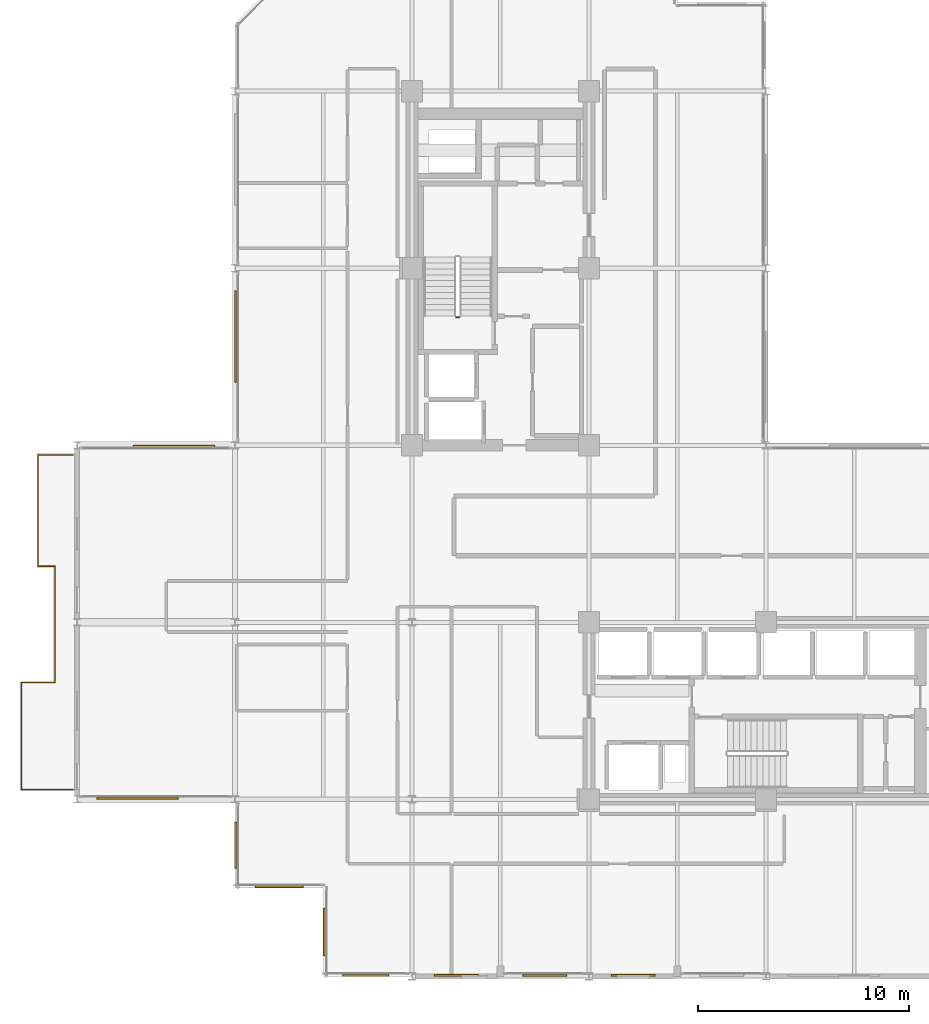
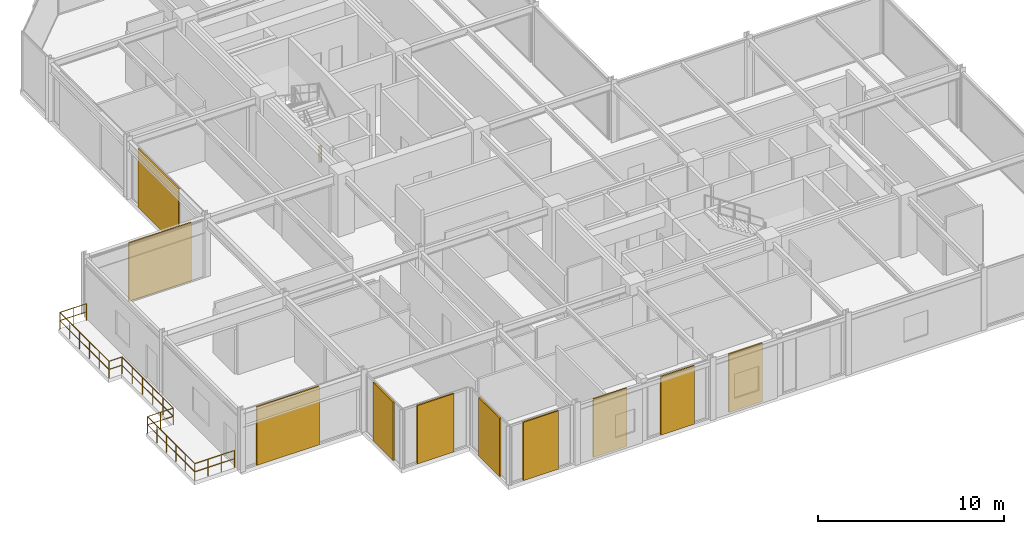
# One storey, part 27 of 29: 10 coverings, 8 railings.
"""IFC4 building model written with IfcOpenShell, lengths in metres."""

from ifc_helpers import new_model, si_unit, direction, frame, origin, origin_2d, place, context, subcontext, project, spatial, rectangle, circle, extrude, material, layer, layer_set, type_object, element, save


model = new_model("IFC4")

# Units and contexts
model_context = context("Model", 3, precision=1e-05, world=origin(), true_north=direction((0.0, 1.0)))
body_context = subcontext(model_context, "Body", "Model", "MODEL_VIEW")
ifc_project = project(units=[si_unit("LENGTHUNIT", "METRE"), si_unit("AREAUNIT", "SQUARE_METRE"), si_unit("VOLUMEUNIT", "CUBIC_METRE"), si_unit("PLANEANGLEUNIT", "RADIAN"), si_unit("MASSUNIT", "GRAM", prefix="KILO")], contexts=[model_context])

# Site, building, storey
site_placement = place(None, origin())
site = spatial("IfcSite", under=ifc_project, at=site_placement, CompositionType="ELEMENT")
building_placement = place(site_placement, origin())
building = spatial("IfcBuilding", under=site, at=building_placement, Name="Nerrivon Quay Data Exchange", CompositionType="ELEMENT")
storey_placement = place(building_placement, frame((0.0, 0.0, 175.5)))
storey = spatial("IfcBuildingStorey", under=building, at=storey_placement, Name="L41", CompositionType="ELEMENT", Elevation=175.5)

# Coverings
ifc_material_1 = material(Name="Architectural terracotta ceramic", Category="masonry")
ifc_layer = layer(ifc_material_1, 0.090087890625)
ifc_layer_set = layer_set([ifc_layer], Name="Architectural terracotta ceramic")
covering_type = type_object("IfcCoveringType", Name="COV-SCR-TERR", PredefinedType="CLADDING", material=ifc_layer_set)
covering_1_placement = place(storey_placement, frame((-2.8994140625, 25.155029296875, 0.0), z_axis=(0.0, 0.0, 1.0), x_axis=(1.0, 0.0, 0.0)))
element("IfcCovering", 1, at=covering_1_placement, inside=storey, type_object=covering_type, Name="L41 Perforated Terracotta SOLAR SCREEN Cassette", PredefinedType="CLADDING", context=body_context, shape_type="SweptSolid", body=[
    extrude(rectangle(XDim=3.8720703125, YDim=0.090087890625, at=origin_2d()), origin(), (0.0, 0.0, 1.0), 3.824951171875),
])
covering_2_placement = place(storey_placement, frame((0.044921875, 30.365966796875, 0.0), z_axis=(0.0, 0.0, 1.0), x_axis=(0.0, 1.0, 0.0)))
element("IfcCovering", 2, at=covering_2_placement, inside=storey, type_object=covering_type, Name="L41 Perforated Terracotta SOLAR SCREEN Cassette", PredefinedType="CLADDING", context=body_context, shape_type="SweptSolid", body=[
    extrude(rectangle(XDim=4.346923828125, YDim=0.090087890625, at=origin_2d()), origin(), (0.0, 0.0, 1.0), 3.824951171875),
])
for number, where, z_axis, x_axis, name in (
    (3, (18.89990234375, 0.044921875, 0.0), (0.0, 0.0, 1.0), (-1.0, 0.0, 0.0), "L41 Perforated Terracotta SOLAR SCREEN Cassette"),
    (4, (14.699951171875, 0.044921875, 0.0), (0.0, 0.0, 1.0), (-1.0, 0.0, 0.0), "L41 Perforated Terracotta SOLAR SCREEN Cassette"),
    (5, (10.5, 0.044921875, 0.0), (0.0, 0.0, 1.0), (-1.0, 0.0, 0.0), "L41 Perforated Terracotta SOLAR SCREEN Cassette"),
):
    element("IfcCovering", number, at=place(storey_placement, frame(where, z_axis=z_axis, x_axis=x_axis)), inside=storey, type_object=covering_type, Name=name, PredefinedType="CLADDING", context=body_context, shape_type="SweptSolid", body=[
        extrude(rectangle(XDim=2.0791015625, YDim=0.090087890625, at=origin_2d()), origin(), (0.0, 0.0, 1.0), 3.824951171875),
    ])
covering_3_placement = place(storey_placement, frame((6.21240234375, 0.044921875, 0.0), z_axis=(0.0, 0.0, 1.0), x_axis=(-1.0, 0.0, 0.0)))
element("IfcCovering", 6, at=covering_3_placement, inside=storey, type_object=covering_type, Name="L41 Perforated Terracotta SOLAR SCREEN Cassette", PredefinedType="CLADDING", context=body_context, shape_type="SweptSolid", body=[
    extrude(rectangle(XDim=2.173095703125, YDim=0.090087890625, at=origin_2d()), origin(), (0.0, 0.0, 1.0), 3.824951171875),
])
for number, where, z_axis, x_axis, name in (
    (7, (4.2451171875, 2.10009765625, 0.0), (0.0, 0.0, 1.0), (0.0, 1.0, 0.0), "L41 Perforated Terracotta SOLAR SCREEN Cassette"),
    (8, (2.10009765625, 4.2451171875, 0.0), (0.0, 0.0, 1.0), (-1.0, 0.0, 0.0), "L41 Perforated Terracotta SOLAR SCREEN Cassette"),
):
    element("IfcCovering", number, at=place(storey_placement, frame(where, z_axis=z_axis, x_axis=x_axis)), inside=storey, type_object=covering_type, Name=name, PredefinedType="CLADDING", context=body_context, shape_type="SweptSolid", body=[
        extrude(rectangle(XDim=2.26806640625, YDim=0.090087890625, at=origin_2d()), origin(), (0.0, 0.0, 1.0), 3.824951171875),
    ])
covering_4_placement = place(storey_placement, frame((0.044921875, 6.21240234375, 0.0), z_axis=(0.0, 0.0, 1.0), x_axis=(0.0, 1.0, 0.0)))
element("IfcCovering", 9, at=covering_4_placement, inside=storey, type_object=covering_type, Name="L41 Perforated Terracotta SOLAR SCREEN Cassette", PredefinedType="CLADDING", context=body_context, shape_type="SweptSolid", body=[
    extrude(rectangle(XDim=2.173095703125, YDim=0.090087890625, at=origin_2d()), origin(), (0.0, 0.0, 1.0), 3.824951171875),
])
covering_5_placement = place(storey_placement, frame((-4.6201171875, 8.445068359375, 0.0), z_axis=(0.0, 0.0, 1.0), x_axis=(-1.0, 0.0, 0.0)))
element("IfcCovering", 10, at=covering_5_placement, inside=storey, type_object=covering_type, Name="L41 Perforated Terracotta SOLAR SCREEN Cassette", PredefinedType="CLADDING", context=body_context, shape_type="SweptSolid", body=[
    extrude(rectangle(XDim=3.8720703125, YDim=0.090087890625, at=origin_2d()), origin(), (0.0, 0.0, 1.0), 3.824951171875),
])

# Railings
ifc_material_2 = material(Name="Steel Grade C350L0 (350 MPa)", Category="steel")
railing_type_1 = type_object("IfcRailingType", Name="RAIL-GUARD-GR2", PredefinedType="BALUSTRADE", material=ifc_material_2)
railing_1_placement = place(storey_placement, frame((-7.679931640625, 8.860107421875, 0.0)))
element("IfcRailing", 11, at=railing_1_placement, inside=storey, type_object=railing_type_1, Name="L41 Verandah Balcony Guard 1.1 1", PredefinedType="BALUSTRADE", context=body_context, shape_type="SweptSolid", body=[
    extrude(circle(Radius=0.02392578125, at=origin_2d()), frame((0.0, 0.0, 1.09619140625), z_axis=(-1.0, 0.0, 0.0), x_axis=(0.0, -1.0, 0.0)), (0.0, 0.0, 1.0), 2.4599609375),
    extrude(circle(Radius=0.02392578125, at=origin_2d()), frame((0.0, 0.0, 0.56005859375), z_axis=(-1.0, 0.0, 0.0), x_axis=(0.0, -1.0, 0.0)), (0.0, 0.0, 1.0), 2.4599609375),
    extrude(circle(Radius=0.02099609375, at=origin_2d()), origin(), (0.0, 0.0, 1.0), 1.072021484375),
    extrude(circle(Radius=0.02099609375, at=origin_2d()), frame((-0.820068359375, 0.0, 0.0)), (0.0, 0.0, 1.0), 1.072021484375),
    extrude(circle(Radius=0.02099609375, at=origin_2d()), frame((-1.639892578125, 0.0, 0.0)), (0.0, 0.0, 1.0), 1.072021484375),
    extrude(circle(Radius=0.02099609375, at=origin_2d()), frame((-2.4599609375, 0.0, 0.0)), (0.0, 0.0, 1.0), 1.072021484375),
])
railing_2_placement = place(storey_placement, frame((-10.139892578125, 8.860107421875, 0.0)))
element("IfcRailing", 12, at=railing_2_placement, inside=storey, type_object=railing_type_1, Name="L41 Verandah Balcony Guard 1.2 1", PredefinedType="BALUSTRADE", context=body_context, shape_type="SweptSolid", body=[
    extrude(circle(Radius=0.02392578125, at=origin_2d()), frame((0.0, 0.0, 1.09619140625), z_axis=(0.0, 1.0, 0.0), x_axis=(-1.0, 0.0, 0.0)), (0.0, 0.0, 1.0), 5.079833984375),
    extrude(circle(Radius=0.02392578125, at=origin_2d()), frame((0.0, 0.0, 0.56005859375), z_axis=(0.0, 1.0, 0.0), x_axis=(-1.0, 0.0, 0.0)), (0.0, 0.0, 1.0), 5.079833984375),
    extrude(circle(Radius=0.02099609375, at=origin_2d()), origin(), (0.0, 0.0, 1.0), 1.072021484375),
    extrude(circle(Radius=0.02099609375, at=origin_2d()), frame((0.0, 1.015869140625, 0.0)), (0.0, 0.0, 1.0), 1.072021484375),
    extrude(circle(Radius=0.02099609375, at=origin_2d()), frame((0.0, 2.031982421875, 0.0)), (0.0, 0.0, 1.0), 1.072021484375),
    extrude(circle(Radius=0.02099609375, at=origin_2d()), frame((0.0, 3.0478515625, 0.0)), (0.0, 0.0, 1.0), 1.072021484375),
    extrude(circle(Radius=0.02099609375, at=origin_2d()), frame((0.0, 4.06396484375, 0.0)), (0.0, 0.0, 1.0), 1.072021484375),
    extrude(circle(Radius=0.02099609375, at=origin_2d()), frame((0.0, 5.079833984375, 0.0)), (0.0, 0.0, 1.0), 1.072021484375),
])
railing_3_placement = place(storey_placement, frame((-10.139892578125, 13.93994140625, 0.0)))
element("IfcRailing", 13, at=railing_3_placement, inside=storey, type_object=railing_type_1, Name="L41 Verandah Balcony Guard 1.3 1", PredefinedType="BALUSTRADE", context=body_context, shape_type="SweptSolid", body=[
    extrude(circle(Radius=0.02392578125, at=origin_2d()), frame((0.0, 0.0, 1.09619140625), z_axis=(1.0, 0.0, 0.0), x_axis=(0.0, 1.0, 0.0)), (0.0, 0.0, 1.0), 1.599853515625),
    extrude(circle(Radius=0.02392578125, at=origin_2d()), frame((0.0, 0.0, 0.56005859375), z_axis=(1.0, 0.0, 0.0), x_axis=(0.0, 1.0, 0.0)), (0.0, 0.0, 1.0), 1.599853515625),
    extrude(circle(Radius=0.02099609375, at=origin_2d()), origin(), (0.0, 0.0, 1.0), 1.072021484375),
    extrude(circle(Radius=0.02099609375, at=origin_2d()), frame((0.7998046875, 0.0, 0.0)), (0.0, 0.0, 1.0), 1.072021484375),
    extrude(circle(Radius=0.02099609375, at=origin_2d()), frame((1.599853515625, 0.0, 0.0)), (0.0, 0.0, 1.0), 1.072021484375),
])
railing_4_placement = place(storey_placement, frame((-8.5400390625, 13.93994140625, 0.0)))
element("IfcRailing", 14, at=railing_4_placement, inside=storey, type_object=railing_type_1, Name="L41 Verandah Balcony Guard 1.4 1", PredefinedType="BALUSTRADE", context=body_context, shape_type="SweptSolid", body=[
    extrude(circle(Radius=0.02392578125, at=origin_2d()), frame((0.0, 0.0, 1.09619140625), z_axis=(0.0, 1.0, 0.0), x_axis=(-1.0, 0.0, 0.0)), (0.0, 0.0, 1.0), 5.52001953125),
    extrude(circle(Radius=0.02392578125, at=origin_2d()), frame((0.0, 0.0, 0.56005859375), z_axis=(0.0, 1.0, 0.0), x_axis=(-1.0, 0.0, 0.0)), (0.0, 0.0, 1.0), 5.52001953125),
    extrude(circle(Radius=0.02099609375, at=origin_2d()), origin(), (0.0, 0.0, 1.0), 1.072021484375),
    extrude(circle(Radius=0.02099609375, at=origin_2d()), frame((0.0, 1.10400390625, 0.0)), (0.0, 0.0, 1.0), 1.072021484375),
    extrude(circle(Radius=0.02099609375, at=origin_2d()), frame((0.0, 2.2080078125, 0.0)), (0.0, 0.0, 1.0), 1.072021484375),
    extrude(circle(Radius=0.02099609375, at=origin_2d()), frame((0.0, 3.31201171875, 0.0)), (0.0, 0.0, 1.0), 1.072021484375),
    extrude(circle(Radius=0.02099609375, at=origin_2d()), frame((0.0, 4.416015625, 0.0)), (0.0, 0.0, 1.0), 1.072021484375),
    extrude(circle(Radius=0.02099609375, at=origin_2d()), frame((0.0, 5.52001953125, 0.0)), (0.0, 0.0, 1.0), 1.072021484375),
])
railing_5_placement = place(storey_placement, frame((-8.5400390625, 19.4599609375, 0.0)))
element("IfcRailing", 15, at=railing_5_placement, inside=storey, type_object=railing_type_1, Name="L41 Verandah Balcony Guard 1.5 1", PredefinedType="BALUSTRADE", context=body_context, shape_type="SweptSolid", body=[
    extrude(circle(Radius=0.02392578125, at=origin_2d()), frame((0.0, 0.0, 1.09619140625), z_axis=(-1.0, 0.0, 0.0), x_axis=(0.0, -1.0, 0.0)), (0.0, 0.0, 1.0), 0.800048828125),
    extrude(circle(Radius=0.02392578125, at=origin_2d()), frame((0.0, 0.0, 0.56005859375), z_axis=(-1.0, 0.0, 0.0), x_axis=(0.0, -1.0, 0.0)), (0.0, 0.0, 1.0), 0.800048828125),
    extrude(circle(Radius=0.02099609375, at=origin_2d()), origin(), (0.0, 0.0, 1.0), 1.072021484375),
    extrude(circle(Radius=0.02099609375, at=origin_2d()), frame((-0.800048828125, 0.0, 0.0)), (0.0, 0.0, 1.0), 1.072021484375),
])
railing_6_placement = place(storey_placement, frame((-9.340087890625, 19.4599609375, 0.0)))
element("IfcRailing", 16, at=railing_6_placement, inside=storey, type_object=railing_type_1, Name="L41 Verandah Balcony Guard 1.6 1", PredefinedType="BALUSTRADE", context=body_context, shape_type="SweptSolid", body=[
    extrude(circle(Radius=0.02392578125, at=origin_2d()), frame((0.0, 0.0, 1.09619140625), z_axis=(0.0, 1.0, 0.0), x_axis=(-1.0, 0.0, 0.0)), (0.0, 0.0, 1.0), 5.280029296875),
    extrude(circle(Radius=0.02392578125, at=origin_2d()), frame((0.0, 0.0, 0.56005859375), z_axis=(0.0, 1.0, 0.0), x_axis=(-1.0, 0.0, 0.0)), (0.0, 0.0, 1.0), 5.280029296875),
    extrude(circle(Radius=0.02099609375, at=origin_2d()), origin(), (0.0, 0.0, 1.0), 1.072021484375),
    extrude(circle(Radius=0.02099609375, at=origin_2d()), frame((0.0, 1.055908203125, 0.0)), (0.0, 0.0, 1.0), 1.072021484375),
    extrude(circle(Radius=0.02099609375, at=origin_2d()), frame((0.0, 2.112060546875, 0.0)), (0.0, 0.0, 1.0), 1.072021484375),
    extrude(circle(Radius=0.02099609375, at=origin_2d()), frame((0.0, 3.16796875, 0.0)), (0.0, 0.0, 1.0), 1.072021484375),
    extrude(circle(Radius=0.02099609375, at=origin_2d()), frame((0.0, 4.22412109375, 0.0)), (0.0, 0.0, 1.0), 1.072021484375),
    extrude(circle(Radius=0.02099609375, at=origin_2d()), frame((0.0, 5.280029296875, 0.0)), (0.0, 0.0, 1.0), 1.072021484375),
])
railing_7_placement = place(storey_placement, frame((-9.340087890625, 24.739990234375, 0.0)))
element("IfcRailing", 17, at=railing_7_placement, inside=storey, type_object=railing_type_1, Name="L41 Verandah Balcony Guard 1.7 1", PredefinedType="BALUSTRADE", context=body_context, shape_type="SweptSolid", body=[
    extrude(circle(Radius=0.02392578125, at=origin_2d()), frame((0.0, 0.0, 1.09619140625), z_axis=(1.0, 0.0, 0.0), x_axis=(0.0, 1.0, 0.0)), (0.0, 0.0, 1.0), 1.66015625),
    extrude(circle(Radius=0.02392578125, at=origin_2d()), frame((0.0, 0.0, 0.56005859375), z_axis=(1.0, 0.0, 0.0), x_axis=(0.0, 1.0, 0.0)), (0.0, 0.0, 1.0), 1.66015625),
    extrude(circle(Radius=0.02099609375, at=origin_2d()), origin(), (0.0, 0.0, 1.0), 1.072021484375),
    extrude(circle(Radius=0.02099609375, at=origin_2d()), frame((0.830078125, 0.0, 0.0)), (0.0, 0.0, 1.0), 1.072021484375),
    extrude(circle(Radius=0.02099609375, at=origin_2d()), frame((1.66015625, 0.0, 0.0)), (0.0, 0.0, 1.0), 1.072021484375),
])
railing_type_2 = type_object("IfcRailingType", Name="RAIL-STAIR-GR1", PredefinedType="BALUSTRADE", material=ifc_material_2)
railing_8_placement = place(storey_placement, frame((10.64990234375, 31.280029296875, 0.0)))
element("IfcRailing", 18, at=railing_8_placement, inside=storey, type_object=railing_type_2, Name="L41 ST01 stair guard 4", PredefinedType="BALUSTRADE", context=body_context, shape_type="SweptSolid", body=[
    extrude(circle(Radius=0.02392578125, at=origin_2d()), frame((0.0, 0.0, 1.076171875), z_axis=(-1.0, 0.0, 0.0), x_axis=(0.0, -1.0, 0.0)), (0.0, 0.0, 1.0), 0.14990234375),
    extrude(circle(Radius=0.02392578125, at=origin_2d()), frame((0.0, 0.0, 0.550048828125), z_axis=(-1.0, 0.0, 0.0), x_axis=(0.0, -1.0, 0.0)), (0.0, 0.0, 1.0), 0.14990234375),
    extrude(circle(Radius=0.02099609375, at=origin_2d()), origin(), (0.0, 0.0, 1.0), 1.052001953125),
    extrude(circle(Radius=0.02099609375, at=origin_2d()), frame((-0.14990234375, 0.0, 0.0)), (0.0, 0.0, 1.0), 1.052001953125),
])

save(model, "model.ifc")
